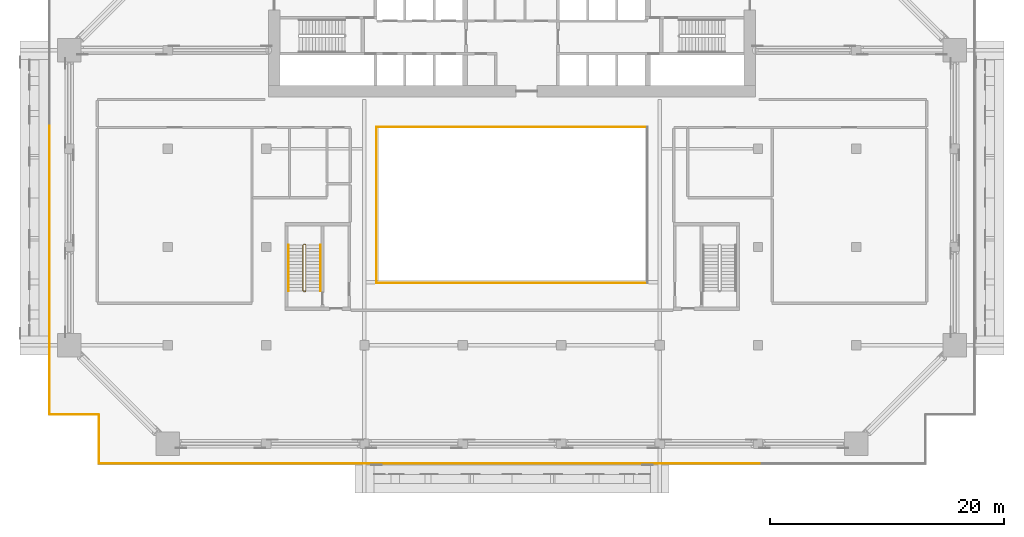
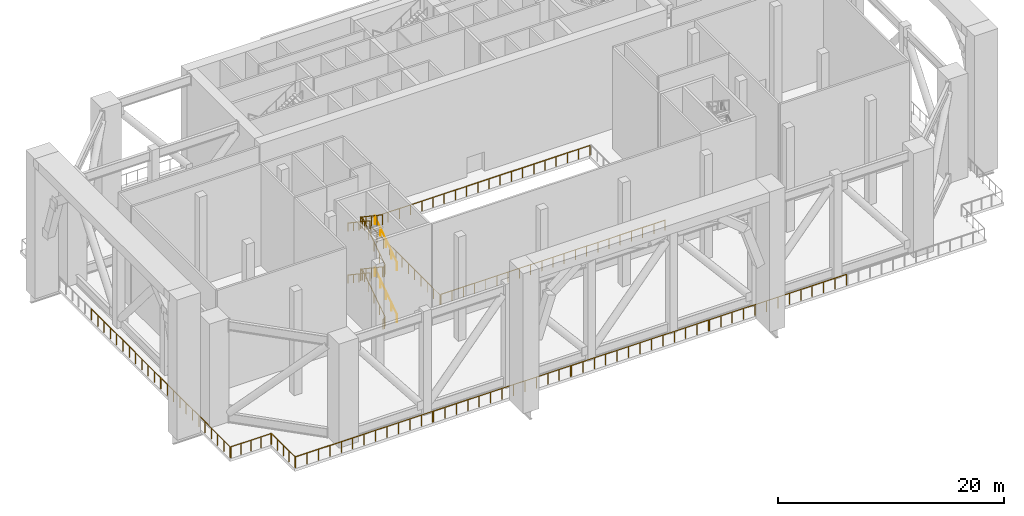
# One storey, part 16 of 19: 16 railings.
"""IFC4 building model written with IfcOpenShell, lengths in metres."""

from ifc_helpers import new_model, si_unit, direction, frame, origin, origin_2d, place, context, subcontext, project, spatial, circle, extrude, material, type_object, element, save


model = new_model("IFC4")

# Units and contexts
model_context = context("Model", 3, precision=1e-05, world=origin(), true_north=direction((0.0, 1.0)))
body_context = subcontext(model_context, "Body", "Model", "MODEL_VIEW")
ifc_project = project(units=[si_unit("LENGTHUNIT", "METRE"), si_unit("AREAUNIT", "SQUARE_METRE"), si_unit("VOLUMEUNIT", "CUBIC_METRE"), si_unit("PLANEANGLEUNIT", "RADIAN"), si_unit("MASSUNIT", "GRAM", prefix="KILO")], contexts=[model_context])

# Site, building, storey
site_placement = place(None, origin())
site = spatial("IfcSite", under=ifc_project, at=site_placement, CompositionType="ELEMENT")
building_placement = place(site_placement, origin())
building = spatial("IfcBuilding", under=site, at=building_placement, Name="Saffron Gate Tower", CompositionType="ELEMENT")
storey_placement = place(building_placement, frame((0.0, 0.0, 84.0)))
storey = spatial("IfcBuildingStorey", under=building, at=storey_placement, Name="L20", CompositionType="ELEMENT", Elevation=84.0)

# Railings
ifc_material_1 = material(Name="Stainless steel and laminated glass", Category="steel")
railing_type_1 = type_object("IfcRailingType", Name="AG1 Atrium edge guard 1100", PredefinedType="GUARDRAIL", material=ifc_material_1)
railing_1_placement = place(storey_placement, frame((76.02001953125, 45.5400390625, 0.0)))
element("IfcRailing", 1, at=railing_1_placement, inside=storey, type_object=railing_type_1, Name="Guard X1-1", PredefinedType="GUARDRAIL", context=body_context, shape_type="SweptSolid", body=[
    extrude(circle(Radius=0.02392578125, at=origin_2d()), frame((0.0, 0.0, 1.076171875), z_axis=(0.0, 1.0, 0.0), x_axis=(-1.0, 0.0, 0.0)), (0.0, 0.0, 1.0), 13.320068359375),
    extrude(circle(Radius=0.02099609375, at=origin_2d()), origin(), (0.0, 0.0, 1.0), 1.052001953125),
    extrude(circle(Radius=0.02099609375, at=origin_2d()), frame((0.0, 1.110107421875, 0.0)), (0.0, 0.0, 1.0), 1.052001953125),
    extrude(circle(Radius=0.02099609375, at=origin_2d()), frame((0.0, 2.219970703125, 0.0)), (0.0, 0.0, 1.0), 1.052001953125),
    extrude(circle(Radius=0.02099609375, at=origin_2d()), frame((0.0, 3.330078125, 0.0)), (0.0, 0.0, 1.0), 1.052001953125),
    extrude(circle(Radius=0.02099609375, at=origin_2d()), frame((0.0, 4.43994140625, 0.0)), (0.0, 0.0, 1.0), 1.052001953125),
    extrude(circle(Radius=0.02099609375, at=origin_2d()), frame((0.0, 5.550048828125, 0.0)), (0.0, 0.0, 1.0), 1.052001953125),
    extrude(circle(Radius=0.02099609375, at=origin_2d()), frame((0.0, 6.66015625, 0.0)), (0.0, 0.0, 1.0), 1.052001953125),
    extrude(circle(Radius=0.02099609375, at=origin_2d()), frame((0.0, 7.77001953125, 0.0)), (0.0, 0.0, 1.0), 1.052001953125),
    extrude(circle(Radius=0.02099609375, at=origin_2d()), frame((0.0, 8.880126953125, 0.0)), (0.0, 0.0, 1.0), 1.052001953125),
    extrude(circle(Radius=0.02099609375, at=origin_2d()), frame((0.0, 9.989990234375, 0.0)), (0.0, 0.0, 1.0), 1.052001953125),
    extrude(circle(Radius=0.02099609375, at=origin_2d()), frame((0.0, 11.10009765625, 0.0)), (0.0, 0.0, 1.0), 1.052001953125),
    extrude(circle(Radius=0.02099609375, at=origin_2d()), frame((0.0, 12.2099609375, 0.0)), (0.0, 0.0, 1.0), 1.052001953125),
    extrude(circle(Radius=0.02099609375, at=origin_2d()), frame((0.0, 13.320068359375, 0.0)), (0.0, 0.0, 1.0), 1.052001953125),
])
railing_2_placement = place(storey_placement, frame((76.139892578125, 58.860107421875, 0.0)))
element("IfcRailing", 2, at=railing_2_placement, inside=storey, type_object=railing_type_1, Name="Guard X1-2", PredefinedType="GUARDRAIL", context=body_context, shape_type="SweptSolid", body=[
    extrude(circle(Radius=0.02392578125, at=origin_2d()), frame((0.0, 0.0, 1.076171875), z_axis=(1.0, 0.0, 0.0), x_axis=(0.0, 1.0, 0.0)), (0.0, 0.0, 1.0), 22.920166015625),
    extrude(circle(Radius=0.02099609375, at=origin_2d()), origin(), (0.0, 0.0, 1.0), 1.052001953125),
    extrude(circle(Radius=0.02099609375, at=origin_2d()), frame((1.14599609375, 0.0, 0.0)), (0.0, 0.0, 1.0), 1.052001953125),
    extrude(circle(Radius=0.02099609375, at=origin_2d()), frame((2.2919921875, 0.0, 0.0)), (0.0, 0.0, 1.0), 1.052001953125),
    extrude(circle(Radius=0.02099609375, at=origin_2d()), frame((3.43798828125, 0.0, 0.0)), (0.0, 0.0, 1.0), 1.052001953125),
    extrude(circle(Radius=0.02099609375, at=origin_2d()), frame((4.583984375, 0.0, 0.0)), (0.0, 0.0, 1.0), 1.052001953125),
    extrude(circle(Radius=0.02099609375, at=origin_2d()), frame((5.72998046875, 0.0, 0.0)), (0.0, 0.0, 1.0), 1.052001953125),
    extrude(circle(Radius=0.02099609375, at=origin_2d()), frame((6.8759765625, 0.0, 0.0)), (0.0, 0.0, 1.0), 1.052001953125),
    extrude(circle(Radius=0.02099609375, at=origin_2d()), frame((8.02197265625, 0.0, 0.0)), (0.0, 0.0, 1.0), 1.052001953125),
    extrude(circle(Radius=0.02099609375, at=origin_2d()), frame((9.16796875, 0.0, 0.0)), (0.0, 0.0, 1.0), 1.052001953125),
    extrude(circle(Radius=0.02099609375, at=origin_2d()), frame((10.31396484375, 0.0, 0.0)), (0.0, 0.0, 1.0), 1.052001953125),
    extrude(circle(Radius=0.02099609375, at=origin_2d()), frame((11.4599609375, 0.0, 0.0)), (0.0, 0.0, 1.0), 1.052001953125),
    extrude(circle(Radius=0.02099609375, at=origin_2d()), frame((12.606201171875, 0.0, 0.0)), (0.0, 0.0, 1.0), 1.052001953125),
    extrude(circle(Radius=0.02099609375, at=origin_2d()), frame((13.752197265625, 0.0, 0.0)), (0.0, 0.0, 1.0), 1.052001953125),
    extrude(circle(Radius=0.02099609375, at=origin_2d()), frame((14.898193359375, 0.0, 0.0)), (0.0, 0.0, 1.0), 1.052001953125),
    extrude(circle(Radius=0.02099609375, at=origin_2d()), frame((16.044189453125, 0.0, 0.0)), (0.0, 0.0, 1.0), 1.052001953125),
    extrude(circle(Radius=0.02099609375, at=origin_2d()), frame((17.190185546875, 0.0, 0.0)), (0.0, 0.0, 1.0), 1.052001953125),
    extrude(circle(Radius=0.02099609375, at=origin_2d()), frame((18.336181640625, 0.0, 0.0)), (0.0, 0.0, 1.0), 1.052001953125),
    extrude(circle(Radius=0.02099609375, at=origin_2d()), frame((19.482177734375, 0.0, 0.0)), (0.0, 0.0, 1.0), 1.052001953125),
    extrude(circle(Radius=0.02099609375, at=origin_2d()), frame((20.628173828125, 0.0, 0.0)), (0.0, 0.0, 1.0), 1.052001953125),
    extrude(circle(Radius=0.02099609375, at=origin_2d()), frame((21.774169921875, 0.0, 0.0)), (0.0, 0.0, 1.0), 1.052001953125),
    extrude(circle(Radius=0.02099609375, at=origin_2d()), frame((22.920166015625, 0.0, 0.0)), (0.0, 0.0, 1.0), 1.052001953125),
])
railing_3_placement = place(storey_placement, frame((99.06005859375, 45.5400390625, 0.0)))
element("IfcRailing", 3, at=railing_3_placement, inside=storey, type_object=railing_type_1, Name="Guard X1-4", PredefinedType="GUARDRAIL", context=body_context, shape_type="SweptSolid", body=[
    extrude(circle(Radius=0.02392578125, at=origin_2d()), frame((0.0, 0.0, 1.076171875), z_axis=(-1.0, 0.0, 0.0), x_axis=(0.0, -1.0, 0.0)), (0.0, 0.0, 1.0), 22.920166015625),
    extrude(circle(Radius=0.02099609375, at=origin_2d()), origin(), (0.0, 0.0, 1.0), 1.052001953125),
    extrude(circle(Radius=0.02099609375, at=origin_2d()), frame((-1.14599609375, 0.0, 0.0)), (0.0, 0.0, 1.0), 1.052001953125),
    extrude(circle(Radius=0.02099609375, at=origin_2d()), frame((-2.2919921875, 0.0, 0.0)), (0.0, 0.0, 1.0), 1.052001953125),
    extrude(circle(Radius=0.02099609375, at=origin_2d()), frame((-3.43798828125, 0.0, 0.0)), (0.0, 0.0, 1.0), 1.052001953125),
    extrude(circle(Radius=0.02099609375, at=origin_2d()), frame((-4.583984375, 0.0, 0.0)), (0.0, 0.0, 1.0), 1.052001953125),
    extrude(circle(Radius=0.02099609375, at=origin_2d()), frame((-5.72998046875, 0.0, 0.0)), (0.0, 0.0, 1.0), 1.052001953125),
    extrude(circle(Radius=0.02099609375, at=origin_2d()), frame((-6.8759765625, 0.0, 0.0)), (0.0, 0.0, 1.0), 1.052001953125),
    extrude(circle(Radius=0.02099609375, at=origin_2d()), frame((-8.02197265625, 0.0, 0.0)), (0.0, 0.0, 1.0), 1.052001953125),
    extrude(circle(Radius=0.02099609375, at=origin_2d()), frame((-9.16796875, 0.0, 0.0)), (0.0, 0.0, 1.0), 1.052001953125),
    extrude(circle(Radius=0.02099609375, at=origin_2d()), frame((-10.31396484375, 0.0, 0.0)), (0.0, 0.0, 1.0), 1.052001953125),
    extrude(circle(Radius=0.02099609375, at=origin_2d()), frame((-11.4599609375, 0.0, 0.0)), (0.0, 0.0, 1.0), 1.052001953125),
    extrude(circle(Radius=0.02099609375, at=origin_2d()), frame((-12.606201171875, 0.0, 0.0)), (0.0, 0.0, 1.0), 1.052001953125),
    extrude(circle(Radius=0.02099609375, at=origin_2d()), frame((-13.752197265625, 0.0, 0.0)), (0.0, 0.0, 1.0), 1.052001953125),
    extrude(circle(Radius=0.02099609375, at=origin_2d()), frame((-14.898193359375, 0.0, 0.0)), (0.0, 0.0, 1.0), 1.052001953125),
    extrude(circle(Radius=0.02099609375, at=origin_2d()), frame((-16.044189453125, 0.0, 0.0)), (0.0, 0.0, 1.0), 1.052001953125),
    extrude(circle(Radius=0.02099609375, at=origin_2d()), frame((-17.190185546875, 0.0, 0.0)), (0.0, 0.0, 1.0), 1.052001953125),
    extrude(circle(Radius=0.02099609375, at=origin_2d()), frame((-18.336181640625, 0.0, 0.0)), (0.0, 0.0, 1.0), 1.052001953125),
    extrude(circle(Radius=0.02099609375, at=origin_2d()), frame((-19.482177734375, 0.0, 0.0)), (0.0, 0.0, 1.0), 1.052001953125),
    extrude(circle(Radius=0.02099609375, at=origin_2d()), frame((-20.628173828125, 0.0, 0.0)), (0.0, 0.0, 1.0), 1.052001953125),
    extrude(circle(Radius=0.02099609375, at=origin_2d()), frame((-21.774169921875, 0.0, 0.0)), (0.0, 0.0, 1.0), 1.052001953125),
    extrude(circle(Radius=0.02099609375, at=origin_2d()), frame((-22.920166015625, 0.0, 0.0)), (0.0, 0.0, 1.0), 1.052001953125),
])
ifc_material_2 = material(Name="Stainless steel posts and toughened glass infill", Category="steel")
railing_type_2 = type_object("IfcRailingType", Name="BAL1 balustrade 1200", PredefinedType="BALUSTRADE", material=ifc_material_2)
for number, where, name in (
    (4, (48.1201171875, 58.919921875, 0.0), "GUARD portal deck edge"),
    (5, (48.1201171875, 46.60009765625, 0.0), "GUARD portal deck edge"),
):
    element("IfcRailing", number, at=place(storey_placement, frame(where)), inside=storey, type_object=railing_type_2, Name=name, PredefinedType="BALUSTRADE", context=body_context, shape_type="SweptSolid", body=[
        extrude(circle(Radius=0.02392578125, at=origin_2d()), frame((0.0, 0.0, 1.17578125), z_axis=(0.0, -1.0, 0.0), x_axis=(1.0, 0.0, 0.0)), (0.0, 0.0, 1.0), 12.239990234375),
        extrude(circle(Radius=0.02099609375, at=origin_2d()), origin(), (0.0, 0.0, 1.0), 1.15185546875),
        extrude(circle(Radius=0.02099609375, at=origin_2d()), frame((0.0, -1.11279296875, 0.0)), (0.0, 0.0, 1.0), 1.15185546875),
        extrude(circle(Radius=0.02099609375, at=origin_2d()), frame((0.0, -2.225341796875, 0.0)), (0.0, 0.0, 1.0), 1.15185546875),
        extrude(circle(Radius=0.02099609375, at=origin_2d()), frame((0.0, -3.338134765625, 0.0)), (0.0, 0.0, 1.0), 1.15185546875),
        extrude(circle(Radius=0.02099609375, at=origin_2d()), frame((0.0, -4.450927734375, 0.0)), (0.0, 0.0, 1.0), 1.15185546875),
        extrude(circle(Radius=0.02099609375, at=origin_2d()), frame((0.0, -5.563720703125, 0.0)), (0.0, 0.0, 1.0), 1.15185546875),
        extrude(circle(Radius=0.02099609375, at=origin_2d()), frame((0.0, -6.67626953125, 0.0)), (0.0, 0.0, 1.0), 1.15185546875),
        extrude(circle(Radius=0.02099609375, at=origin_2d()), frame((0.0, -7.7890625, 0.0)), (0.0, 0.0, 1.0), 1.15185546875),
        extrude(circle(Radius=0.02099609375, at=origin_2d()), frame((0.0, -8.90185546875, 0.0)), (0.0, 0.0, 1.0), 1.15185546875),
        extrude(circle(Radius=0.02099609375, at=origin_2d()), frame((0.0, -10.0146484375, 0.0)), (0.0, 0.0, 1.0), 1.15185546875),
        extrude(circle(Radius=0.02099609375, at=origin_2d()), frame((0.0, -11.127197265625, 0.0)), (0.0, 0.0, 1.0), 1.15185546875),
        extrude(circle(Radius=0.02099609375, at=origin_2d()), frame((0.0, -12.239990234375, 0.0)), (0.0, 0.0, 1.0), 1.15185546875),
    ])
railing_4_placement = place(storey_placement, frame((48.159912109375, 34.320068359375, 0.0)))
element("IfcRailing", 6, at=railing_4_placement, inside=storey, type_object=railing_type_2, Name="GUARD portal deck edge", PredefinedType="BALUSTRADE", context=body_context, shape_type="SweptSolid", body=[
    extrude(circle(Radius=0.02392578125, at=origin_2d()), frame((0.0, 0.0, 1.17578125), z_axis=(1.0, 0.0, 0.0), x_axis=(0.0, 1.0, 0.0)), (0.0, 0.0, 1.0), 4.1201171875),
    extrude(circle(Radius=0.02099609375, at=origin_2d()), origin(), (0.0, 0.0, 1.0), 1.15185546875),
    extrude(circle(Radius=0.02099609375, at=origin_2d()), frame((1.030029296875, 0.0, 0.0)), (0.0, 0.0, 1.0), 1.15185546875),
    extrude(circle(Radius=0.02099609375, at=origin_2d()), frame((2.06005859375, 0.0, 0.0)), (0.0, 0.0, 1.0), 1.15185546875),
    extrude(circle(Radius=0.02099609375, at=origin_2d()), frame((3.090087890625, 0.0, 0.0)), (0.0, 0.0, 1.0), 1.15185546875),
    extrude(circle(Radius=0.02099609375, at=origin_2d()), frame((4.1201171875, 0.0, 0.0)), (0.0, 0.0, 1.0), 1.15185546875),
])
railing_5_placement = place(storey_placement, frame((52.320068359375, 34.280029296875, 0.0)))
element("IfcRailing", 7, at=railing_5_placement, inside=storey, type_object=railing_type_2, Name="GUARD portal deck edge", PredefinedType="BALUSTRADE", context=body_context, shape_type="SweptSolid", body=[
    extrude(circle(Radius=0.02392578125, at=origin_2d()), frame((0.0, 0.0, 1.17578125), z_axis=(0.0, -1.0, 0.0), x_axis=(1.0, 0.0, 0.0)), (0.0, 0.0, 1.0), 4.1201171875),
    extrude(circle(Radius=0.02099609375, at=origin_2d()), origin(), (0.0, 0.0, 1.0), 1.15185546875),
    extrude(circle(Radius=0.02099609375, at=origin_2d()), frame((0.0, -1.030029296875, 0.0)), (0.0, 0.0, 1.0), 1.15185546875),
    extrude(circle(Radius=0.02099609375, at=origin_2d()), frame((0.0, -2.06005859375, 0.0)), (0.0, 0.0, 1.0), 1.15185546875),
    extrude(circle(Radius=0.02099609375, at=origin_2d()), frame((0.0, -3.090087890625, 0.0)), (0.0, 0.0, 1.0), 1.15185546875),
    extrude(circle(Radius=0.02099609375, at=origin_2d()), frame((0.0, -4.1201171875, 0.0)), (0.0, 0.0, 1.0), 1.15185546875),
])
railing_6_placement = place(storey_placement, frame((52.360107421875, 30.1201171875, 0.0)))
element("IfcRailing", 8, at=railing_6_placement, inside=storey, type_object=railing_type_2, Name="GUARD portal deck edge", PredefinedType="BALUSTRADE", context=body_context, shape_type="SweptSolid", body=[
    extrude(circle(Radius=0.02392578125, at=origin_2d()), frame((0.0, 0.0, 1.17578125), z_axis=(1.0, 0.0, 0.0), x_axis=(0.0, 1.0, 0.0)), (0.0, 0.0, 1.0), 14.031982421875),
    extrude(circle(Radius=0.02099609375, at=origin_2d()), origin(), (0.0, 0.0, 1.0), 1.15185546875),
    extrude(circle(Radius=0.02099609375, at=origin_2d()), frame((1.16943359375, 0.0, 0.0)), (0.0, 0.0, 1.0), 1.15185546875),
    extrude(circle(Radius=0.02099609375, at=origin_2d()), frame((2.338623046875, 0.0, 0.0)), (0.0, 0.0, 1.0), 1.15185546875),
    extrude(circle(Radius=0.02099609375, at=origin_2d()), frame((3.508056640625, 0.0, 0.0)), (0.0, 0.0, 1.0), 1.15185546875),
    extrude(circle(Radius=0.02099609375, at=origin_2d()), frame((4.67724609375, 0.0, 0.0)), (0.0, 0.0, 1.0), 1.15185546875),
    extrude(circle(Radius=0.02099609375, at=origin_2d()), frame((5.8466796875, 0.0, 0.0)), (0.0, 0.0, 1.0), 1.15185546875),
    extrude(circle(Radius=0.02099609375, at=origin_2d()), frame((7.01611328125, 0.0, 0.0)), (0.0, 0.0, 1.0), 1.15185546875),
    extrude(circle(Radius=0.02099609375, at=origin_2d()), frame((8.185302734375, 0.0, 0.0)), (0.0, 0.0, 1.0), 1.15185546875),
    extrude(circle(Radius=0.02099609375, at=origin_2d()), frame((9.354736328125, 0.0, 0.0)), (0.0, 0.0, 1.0), 1.15185546875),
    extrude(circle(Radius=0.02099609375, at=origin_2d()), frame((10.52392578125, 0.0, 0.0)), (0.0, 0.0, 1.0), 1.15185546875),
    extrude(circle(Radius=0.02099609375, at=origin_2d()), frame((11.693359375, 0.0, 0.0)), (0.0, 0.0, 1.0), 1.15185546875),
    extrude(circle(Radius=0.02099609375, at=origin_2d()), frame((12.862548828125, 0.0, 0.0)), (0.0, 0.0, 1.0), 1.15185546875),
    extrude(circle(Radius=0.02099609375, at=origin_2d()), frame((14.031982421875, 0.0, 0.0)), (0.0, 0.0, 1.0), 1.15185546875),
])
railing_7_placement = place(storey_placement, frame((66.471923828125, 30.1201171875, 0.0)))
element("IfcRailing", 9, at=railing_7_placement, inside=storey, type_object=railing_type_2, Name="GUARD portal deck edge", PredefinedType="BALUSTRADE", context=body_context, shape_type="SweptSolid", body=[
    extrude(circle(Radius=0.02392578125, at=origin_2d()), frame((0.0, 0.0, 1.17578125), z_axis=(1.0, 0.0, 0.0), x_axis=(0.0, 1.0, 0.0)), (0.0, 0.0, 1.0), 14.031982421875),
    extrude(circle(Radius=0.02099609375, at=origin_2d()), origin(), (0.0, 0.0, 1.0), 1.15185546875),
    extrude(circle(Radius=0.02099609375, at=origin_2d()), frame((1.16943359375, 0.0, 0.0)), (0.0, 0.0, 1.0), 1.15185546875),
    extrude(circle(Radius=0.02099609375, at=origin_2d()), frame((2.338623046875, 0.0, 0.0)), (0.0, 0.0, 1.0), 1.15185546875),
    extrude(circle(Radius=0.02099609375, at=origin_2d()), frame((3.508056640625, 0.0, 0.0)), (0.0, 0.0, 1.0), 1.15185546875),
    extrude(circle(Radius=0.02099609375, at=origin_2d()), frame((4.67724609375, 0.0, 0.0)), (0.0, 0.0, 1.0), 1.15185546875),
    extrude(circle(Radius=0.02099609375, at=origin_2d()), frame((5.8466796875, 0.0, 0.0)), (0.0, 0.0, 1.0), 1.15185546875),
    extrude(circle(Radius=0.02099609375, at=origin_2d()), frame((7.01611328125, 0.0, 0.0)), (0.0, 0.0, 1.0), 1.15185546875),
    extrude(circle(Radius=0.02099609375, at=origin_2d()), frame((8.185302734375, 0.0, 0.0)), (0.0, 0.0, 1.0), 1.15185546875),
    extrude(circle(Radius=0.02099609375, at=origin_2d()), frame((9.354736328125, 0.0, 0.0)), (0.0, 0.0, 1.0), 1.15185546875),
    extrude(circle(Radius=0.02099609375, at=origin_2d()), frame((10.52392578125, 0.0, 0.0)), (0.0, 0.0, 1.0), 1.15185546875),
    extrude(circle(Radius=0.02099609375, at=origin_2d()), frame((11.693359375, 0.0, 0.0)), (0.0, 0.0, 1.0), 1.15185546875),
    extrude(circle(Radius=0.02099609375, at=origin_2d()), frame((12.862548828125, 0.0, 0.0)), (0.0, 0.0, 1.0), 1.15185546875),
    extrude(circle(Radius=0.02099609375, at=origin_2d()), frame((14.031982421875, 0.0, 0.0)), (0.0, 0.0, 1.0), 1.15185546875),
])
railing_8_placement = place(storey_placement, frame((80.583984375, 30.1201171875, 0.0)))
element("IfcRailing", 10, at=railing_8_placement, inside=storey, type_object=railing_type_2, Name="GUARD portal deck edge", PredefinedType="BALUSTRADE", context=body_context, shape_type="SweptSolid", body=[
    extrude(circle(Radius=0.02392578125, at=origin_2d()), frame((0.0, 0.0, 1.17578125), z_axis=(1.0, 0.0, 0.0), x_axis=(0.0, 1.0, 0.0)), (0.0, 0.0, 1.0), 14.031982421875),
    extrude(circle(Radius=0.02099609375, at=origin_2d()), origin(), (0.0, 0.0, 1.0), 1.15185546875),
    extrude(circle(Radius=0.02099609375, at=origin_2d()), frame((1.16943359375, 0.0, 0.0)), (0.0, 0.0, 1.0), 1.15185546875),
    extrude(circle(Radius=0.02099609375, at=origin_2d()), frame((2.338623046875, 0.0, 0.0)), (0.0, 0.0, 1.0), 1.15185546875),
    extrude(circle(Radius=0.02099609375, at=origin_2d()), frame((3.508056640625, 0.0, 0.0)), (0.0, 0.0, 1.0), 1.15185546875),
    extrude(circle(Radius=0.02099609375, at=origin_2d()), frame((4.67724609375, 0.0, 0.0)), (0.0, 0.0, 1.0), 1.15185546875),
    extrude(circle(Radius=0.02099609375, at=origin_2d()), frame((5.8466796875, 0.0, 0.0)), (0.0, 0.0, 1.0), 1.15185546875),
    extrude(circle(Radius=0.02099609375, at=origin_2d()), frame((7.01611328125, 0.0, 0.0)), (0.0, 0.0, 1.0), 1.15185546875),
    extrude(circle(Radius=0.02099609375, at=origin_2d()), frame((8.185302734375, 0.0, 0.0)), (0.0, 0.0, 1.0), 1.15185546875),
    extrude(circle(Radius=0.02099609375, at=origin_2d()), frame((9.354736328125, 0.0, 0.0)), (0.0, 0.0, 1.0), 1.15185546875),
    extrude(circle(Radius=0.02099609375, at=origin_2d()), frame((10.52392578125, 0.0, 0.0)), (0.0, 0.0, 1.0), 1.15185546875),
    extrude(circle(Radius=0.02099609375, at=origin_2d()), frame((11.693359375, 0.0, 0.0)), (0.0, 0.0, 1.0), 1.15185546875),
    extrude(circle(Radius=0.02099609375, at=origin_2d()), frame((12.862548828125, 0.0, 0.0)), (0.0, 0.0, 1.0), 1.15185546875),
    extrude(circle(Radius=0.02099609375, at=origin_2d()), frame((14.031982421875, 0.0, 0.0)), (0.0, 0.0, 1.0), 1.15185546875),
])
railing_9_placement = place(storey_placement, frame((94.696044921875, 30.1201171875, 0.0)))
element("IfcRailing", 11, at=railing_9_placement, inside=storey, type_object=railing_type_2, Name="GUARD portal deck edge", PredefinedType="BALUSTRADE", context=body_context, shape_type="SweptSolid", body=[
    extrude(circle(Radius=0.02392578125, at=origin_2d()), frame((0.0, 0.0, 1.17578125), z_axis=(1.0, 0.0, 0.0), x_axis=(0.0, 1.0, 0.0)), (0.0, 0.0, 1.0), 14.031982421875),
    extrude(circle(Radius=0.02099609375, at=origin_2d()), origin(), (0.0, 0.0, 1.0), 1.15185546875),
    extrude(circle(Radius=0.02099609375, at=origin_2d()), frame((1.16943359375, 0.0, 0.0)), (0.0, 0.0, 1.0), 1.15185546875),
    extrude(circle(Radius=0.02099609375, at=origin_2d()), frame((2.338623046875, 0.0, 0.0)), (0.0, 0.0, 1.0), 1.15185546875),
    extrude(circle(Radius=0.02099609375, at=origin_2d()), frame((3.508056640625, 0.0, 0.0)), (0.0, 0.0, 1.0), 1.15185546875),
    extrude(circle(Radius=0.02099609375, at=origin_2d()), frame((4.67724609375, 0.0, 0.0)), (0.0, 0.0, 1.0), 1.15185546875),
    extrude(circle(Radius=0.02099609375, at=origin_2d()), frame((5.8466796875, 0.0, 0.0)), (0.0, 0.0, 1.0), 1.15185546875),
    extrude(circle(Radius=0.02099609375, at=origin_2d()), frame((7.01611328125, 0.0, 0.0)), (0.0, 0.0, 1.0), 1.15185546875),
    extrude(circle(Radius=0.02099609375, at=origin_2d()), frame((8.185302734375, 0.0, 0.0)), (0.0, 0.0, 1.0), 1.15185546875),
    extrude(circle(Radius=0.02099609375, at=origin_2d()), frame((9.354736328125, 0.0, 0.0)), (0.0, 0.0, 1.0), 1.15185546875),
    extrude(circle(Radius=0.02099609375, at=origin_2d()), frame((10.52392578125, 0.0, 0.0)), (0.0, 0.0, 1.0), 1.15185546875),
    extrude(circle(Radius=0.02099609375, at=origin_2d()), frame((11.693359375, 0.0, 0.0)), (0.0, 0.0, 1.0), 1.15185546875),
    extrude(circle(Radius=0.02099609375, at=origin_2d()), frame((12.862548828125, 0.0, 0.0)), (0.0, 0.0, 1.0), 1.15185546875),
    extrude(circle(Radius=0.02099609375, at=origin_2d()), frame((14.031982421875, 0.0, 0.0)), (0.0, 0.0, 1.0), 1.15185546875),
])
railing_type_3 = type_object("IfcRailingType", Name="CR1 Stair guard 1100", PredefinedType="GUARDRAIL", material=ifc_material_1)
railing_10_placement = place(storey_placement, frame((69.800048828125, 44.800048828125, 0.0)))
element("IfcRailing", 12, at=railing_10_placement, inside=storey, type_object=railing_type_3, Name="L20 ST-D stair guard 1", PredefinedType="GUARDRAIL", context=body_context, shape_type="SweptSolid", body=[
    extrude(circle(Radius=0.02392578125, at=origin_2d()), frame((0.0, 0.0, 1.076171875), z_axis=(1.0, 0.0, 0.0), x_axis=(0.0, 1.0, 0.0)), (0.0, 0.0, 1.0), 0.14990234375),
    extrude(circle(Radius=0.02392578125, at=origin_2d()), frame((0.14990234375, 0.0, 1.076171875), z_axis=(0.249726431254, 0.249726431254, 0.935560483917), x_axis=(-0.707106781187, 0.707106781187, 0.0)), (0.0, 0.0, 1.0), 0.200439453125),
    extrude(circle(Radius=0.02392578125, at=origin_2d()), frame((0.199951171875, 0.050048828125, 1.263671875), z_axis=(0.0, 0.830902050051, 0.556418712142), x_axis=(-1.0, 0.0, 0.0)), (0.0, 0.0, 1.0), 4.7177734375),
    extrude(circle(Radius=0.02392578125, at=origin_2d()), frame((0.199951171875, 3.969970703125, 3.888671875), z_axis=(-0.707106781187, 0.707106781187, 0.0), x_axis=(-0.707106781187, -0.707106781187, 0.0)), (0.0, 0.0, 1.0), 0.07080078125),
    extrude(circle(Radius=0.02392578125, at=origin_2d()), frame((0.14990234375, 4.02001953125, 3.888671875), z_axis=(-1.0, 0.0, 0.0), x_axis=(0.0, -1.0, 0.0)), (0.0, 0.0, 1.0), 0.14990234375),
    extrude(circle(Radius=0.02392578125, at=origin_2d()), frame((0.0, 4.02001953125, 3.888671875), z_axis=(-0.249726431254, -0.249726431254, 0.935560483917), x_axis=(0.707106781187, -0.707106781187, 0.0)), (0.0, 0.0, 1.0), 0.200439453125),
    extrude(circle(Radius=0.02392578125, at=origin_2d()), frame((-0.050048828125, 3.969970703125, 4.076171875), z_axis=(0.0, -0.830902050051, 0.556418712142), x_axis=(1.0, 0.0, 0.0)), (0.0, 0.0, 1.0), 4.7177734375),
    extrude(circle(Radius=0.02392578125, at=origin_2d()), frame((-0.050048828125, 0.050048828125, 6.701171875), z_axis=(0.707106781187, -0.707106781187, 0.0), x_axis=(0.707106781187, 0.707106781187, 0.0)), (0.0, 0.0, 1.0), 0.07080078125),
    extrude(circle(Radius=0.02392578125, at=origin_2d()), frame((0.0, 0.0, 6.701171875), z_axis=(1.0, 0.0, 0.0), x_axis=(0.0, 1.0, 0.0)), (0.0, 0.0, 1.0), 0.14990234375),
    extrude(circle(Radius=0.02392578125, at=origin_2d()), frame((0.14990234375, 0.0, 6.701171875), z_axis=(0.249726431254, 0.249726431254, 0.935560483917), x_axis=(-0.707106781187, 0.707106781187, 0.0)), (0.0, 0.0, 1.0), 0.200439453125),
    extrude(circle(Radius=0.02392578125, at=origin_2d()), frame((0.199951171875, 0.050048828125, 6.888671875), z_axis=(0.0, 0.830902050051, 0.556418712142), x_axis=(-1.0, 0.0, 0.0)), (0.0, 0.0, 1.0), 4.7177734375),
    extrude(circle(Radius=0.02392578125, at=origin_2d()), frame((0.199951171875, 3.969970703125, 9.513671875), z_axis=(-0.707106781187, 0.707106781187, 0.0), x_axis=(-0.707106781187, -0.707106781187, 0.0)), (0.0, 0.0, 1.0), 0.07080078125),
    extrude(circle(Radius=0.02392578125, at=origin_2d()), frame((0.14990234375, 4.02001953125, 9.513671875), z_axis=(-1.0, 0.0, 0.0), x_axis=(0.0, -1.0, 0.0)), (0.0, 0.0, 1.0), 0.14990234375),
    extrude(circle(Radius=0.02392578125, at=origin_2d()), frame((0.0, 4.02001953125, 9.513671875), z_axis=(-0.249726431254, -0.249726431254, 0.935560483917), x_axis=(0.707106781187, -0.707106781187, 0.0)), (0.0, 0.0, 1.0), 0.200439453125),
    extrude(circle(Radius=0.02392578125, at=origin_2d()), frame((-0.050048828125, 3.969970703125, 9.701171875), z_axis=(0.0, -0.830902050051, 0.556418712142), x_axis=(1.0, 0.0, 0.0)), (0.0, 0.0, 1.0), 4.7177734375),
    extrude(circle(Radius=0.02099609375, at=origin_2d()), origin(), (0.0, 0.0, 1.0), 1.052001953125),
    extrude(circle(Radius=0.02099609375, at=origin_2d()), frame((0.14990234375, 0.0, 0.0)), (0.0, 0.0, 1.0), 1.052001953125),
    extrude(circle(Radius=0.02099609375, at=origin_2d()), frame((0.199951171875, 0.050048828125, 0.1875)), (0.0, 0.0, 1.0), 1.052001953125),
    extrude(circle(Radius=0.02099609375, at=origin_2d()), frame((0.199951171875, 1.030029296875, 0.84375)), (0.0, 0.0, 1.0), 1.052001953125),
    extrude(circle(Radius=0.02099609375, at=origin_2d()), frame((0.199951171875, 2.010009765625, 1.5)), (0.0, 0.0, 1.0), 1.052001953125),
    extrude(circle(Radius=0.02099609375, at=origin_2d()), frame((0.199951171875, 2.989990234375, 2.15625)), (0.0, 0.0, 1.0), 1.052001953125),
    extrude(circle(Radius=0.02099609375, at=origin_2d()), frame((0.199951171875, 3.969970703125, 2.8125)), (0.0, 0.0, 1.0), 1.052001953125),
    extrude(circle(Radius=0.02099609375, at=origin_2d()), frame((0.14990234375, 4.02001953125, 2.8125)), (0.0, 0.0, 1.0), 1.052001953125),
    extrude(circle(Radius=0.02099609375, at=origin_2d()), frame((0.0, 4.02001953125, 2.8125)), (0.0, 0.0, 1.0), 1.052001953125),
    extrude(circle(Radius=0.02099609375, at=origin_2d()), frame((-0.050048828125, 3.969970703125, 3.0)), (0.0, 0.0, 1.0), 1.052001953125),
    extrude(circle(Radius=0.02099609375, at=origin_2d()), frame((-0.050048828125, 2.989990234375, 3.65625)), (0.0, 0.0, 1.0), 1.052001953125),
    extrude(circle(Radius=0.02099609375, at=origin_2d()), frame((-0.050048828125, 2.010009765625, 4.3125)), (0.0, 0.0, 1.0), 1.052001953125),
    extrude(circle(Radius=0.02099609375, at=origin_2d()), frame((-0.050048828125, 1.030029296875, 4.96875)), (0.0, 0.0, 1.0), 1.052001953125),
    extrude(circle(Radius=0.02099609375, at=origin_2d()), frame((-0.050048828125, 0.050048828125, 5.625)), (0.0, 0.0, 1.0), 1.052001953125),
    extrude(circle(Radius=0.02099609375, at=origin_2d()), frame((0.0, 0.0, 5.625)), (0.0, 0.0, 1.0), 1.052001953125),
    extrude(circle(Radius=0.02099609375, at=origin_2d()), frame((0.14990234375, 0.0, 5.625)), (0.0, 0.0, 1.0), 1.052001953125),
    extrude(circle(Radius=0.02099609375, at=origin_2d()), frame((0.199951171875, 0.050048828125, 5.8125)), (0.0, 0.0, 1.0), 1.052001953125),
    extrude(circle(Radius=0.02099609375, at=origin_2d()), frame((0.199951171875, 1.030029296875, 6.46875)), (0.0, 0.0, 1.0), 1.052001953125),
    extrude(circle(Radius=0.02099609375, at=origin_2d()), frame((0.199951171875, 2.010009765625, 7.125)), (0.0, 0.0, 1.0), 1.052001953125),
    extrude(circle(Radius=0.02099609375, at=origin_2d()), frame((0.199951171875, 2.989990234375, 7.78125)), (0.0, 0.0, 1.0), 1.052001953125),
    extrude(circle(Radius=0.02099609375, at=origin_2d()), frame((0.199951171875, 3.969970703125, 8.4375)), (0.0, 0.0, 1.0), 1.052001953125),
    extrude(circle(Radius=0.02099609375, at=origin_2d()), frame((0.14990234375, 4.02001953125, 8.4375)), (0.0, 0.0, 1.0), 1.052001953125),
    extrude(circle(Radius=0.02099609375, at=origin_2d()), frame((0.0, 4.02001953125, 8.4375)), (0.0, 0.0, 1.0), 1.052001953125),
    extrude(circle(Radius=0.02099609375, at=origin_2d()), frame((-0.050048828125, 3.969970703125, 8.625)), (0.0, 0.0, 1.0), 1.052001953125),
    extrude(circle(Radius=0.02099609375, at=origin_2d()), frame((-0.050048828125, 2.989990234375, 9.28125)), (0.0, 0.0, 1.0), 1.052001953125),
    extrude(circle(Radius=0.02099609375, at=origin_2d()), frame((-0.050048828125, 2.010009765625, 9.9375)), (0.0, 0.0, 1.0), 1.052001953125),
    extrude(circle(Radius=0.02099609375, at=origin_2d()), frame((-0.050048828125, 1.030029296875, 10.59375)), (0.0, 0.0, 1.0), 1.052001953125),
    extrude(circle(Radius=0.02099609375, at=origin_2d()), frame((-0.050048828125, 0.050048828125, 11.25)), (0.0, 0.0, 1.0), 1.052001953125),
])
ifc_material_3 = material(Name="Stainless steel", Category="steel")
railing_type_4 = type_object("IfcRailingType", Name="CR2 Stair handrail 900", PredefinedType="HANDRAIL", material=ifc_material_3)
railing_11_placement = place(storey_placement, frame((71.25, 44.85009765625, 0.1875)))
element("IfcRailing", 13, at=railing_11_placement, inside=storey, type_object=railing_type_4, Name="L20 ST-D stair handrail 1", PredefinedType="HANDRAIL", context=body_context, shape_type="SweptSolid", body=[
    extrude(circle(Radius=0.02392578125, at=origin_2d()), frame((0.0, 0.0, 0.8759765625), z_axis=(0.0, 0.830902050051, 0.556418712142), x_axis=(-1.0, 0.0, 0.0)), (0.0, 0.0, 1.0), 4.7177734375),
    extrude(circle(Radius=0.02099609375, at=origin_2d()), origin(), (0.0, 0.0, 1.0), 0.851806640625),
    extrude(circle(Radius=0.02099609375, at=origin_2d()), frame((0.0, 0.97998046875, 0.65625)), (0.0, 0.0, 1.0), 0.851806640625),
    extrude(circle(Radius=0.02099609375, at=origin_2d()), frame((0.0, 1.9599609375, 1.3125)), (0.0, 0.0, 1.0), 0.851806640625),
    extrude(circle(Radius=0.02099609375, at=origin_2d()), frame((0.0, 2.93994140625, 1.96875)), (0.0, 0.0, 1.0), 0.851806640625),
    extrude(circle(Radius=0.02099609375, at=origin_2d()), frame((0.0, 3.919921875, 2.625)), (0.0, 0.0, 1.0), 0.851806640625),
])
railing_12_placement = place(storey_placement, frame((68.5, 48.77001953125, 3.0)))
element("IfcRailing", 14, at=railing_12_placement, inside=storey, type_object=railing_type_4, Name="L20 ST-D stair handrail 2", PredefinedType="HANDRAIL", context=body_context, shape_type="SweptSolid", body=[
    extrude(circle(Radius=0.02392578125, at=origin_2d()), frame((0.0, 0.0, 0.8759765625), z_axis=(0.0, -0.830902050051, 0.556418712142), x_axis=(1.0, 0.0, 0.0)), (0.0, 0.0, 1.0), 4.7177734375),
    extrude(circle(Radius=0.02099609375, at=origin_2d()), origin(), (0.0, 0.0, 1.0), 0.851806640625),
    extrude(circle(Radius=0.02099609375, at=origin_2d()), frame((0.0, -0.97998046875, 0.65625)), (0.0, 0.0, 1.0), 0.851806640625),
    extrude(circle(Radius=0.02099609375, at=origin_2d()), frame((0.0, -1.9599609375, 1.3125)), (0.0, 0.0, 1.0), 0.851806640625),
    extrude(circle(Radius=0.02099609375, at=origin_2d()), frame((0.0, -2.93994140625, 1.96875)), (0.0, 0.0, 1.0), 0.851806640625),
    extrude(circle(Radius=0.02099609375, at=origin_2d()), frame((0.0, -3.919921875, 2.625)), (0.0, 0.0, 1.0), 0.851806640625),
])
railing_13_placement = place(storey_placement, frame((71.25, 44.85009765625, 5.8125)))
element("IfcRailing", 15, at=railing_13_placement, inside=storey, type_object=railing_type_4, Name="L20 ST-D stair handrail 3", PredefinedType="HANDRAIL", context=body_context, shape_type="SweptSolid", body=[
    extrude(circle(Radius=0.02392578125, at=origin_2d()), frame((0.0, 0.0, 0.8759765625), z_axis=(0.0, 0.830902050051, 0.556418712142), x_axis=(-1.0, 0.0, 0.0)), (0.0, 0.0, 1.0), 4.7177734375),
    extrude(circle(Radius=0.02099609375, at=origin_2d()), origin(), (0.0, 0.0, 1.0), 0.851806640625),
    extrude(circle(Radius=0.02099609375, at=origin_2d()), frame((0.0, 0.97998046875, 0.65625)), (0.0, 0.0, 1.0), 0.851806640625),
    extrude(circle(Radius=0.02099609375, at=origin_2d()), frame((0.0, 1.9599609375, 1.3125)), (0.0, 0.0, 1.0), 0.851806640625),
    extrude(circle(Radius=0.02099609375, at=origin_2d()), frame((0.0, 2.93994140625, 1.96875)), (0.0, 0.0, 1.0), 0.851806640625),
    extrude(circle(Radius=0.02099609375, at=origin_2d()), frame((0.0, 3.919921875, 2.625)), (0.0, 0.0, 1.0), 0.851806640625),
])
railing_14_placement = place(storey_placement, frame((68.5, 48.77001953125, 8.625)))
element("IfcRailing", 16, at=railing_14_placement, inside=storey, type_object=railing_type_4, Name="L20 ST-D stair handrail 4", PredefinedType="HANDRAIL", context=body_context, shape_type="SweptSolid", body=[
    extrude(circle(Radius=0.02392578125, at=origin_2d()), frame((0.0, 0.0, 0.8759765625), z_axis=(0.0, -0.830902050051, 0.556418712142), x_axis=(1.0, 0.0, 0.0)), (0.0, 0.0, 1.0), 4.7177734375),
    extrude(circle(Radius=0.02099609375, at=origin_2d()), origin(), (0.0, 0.0, 1.0), 0.851806640625),
    extrude(circle(Radius=0.02099609375, at=origin_2d()), frame((0.0, -0.97998046875, 0.65625)), (0.0, 0.0, 1.0), 0.851806640625),
    extrude(circle(Radius=0.02099609375, at=origin_2d()), frame((0.0, -1.9599609375, 1.3125)), (0.0, 0.0, 1.0), 0.851806640625),
    extrude(circle(Radius=0.02099609375, at=origin_2d()), frame((0.0, -2.93994140625, 1.96875)), (0.0, 0.0, 1.0), 0.851806640625),
    extrude(circle(Radius=0.02099609375, at=origin_2d()), frame((0.0, -3.919921875, 2.625)), (0.0, 0.0, 1.0), 0.851806640625),
])

save(model, "model.ifc")
